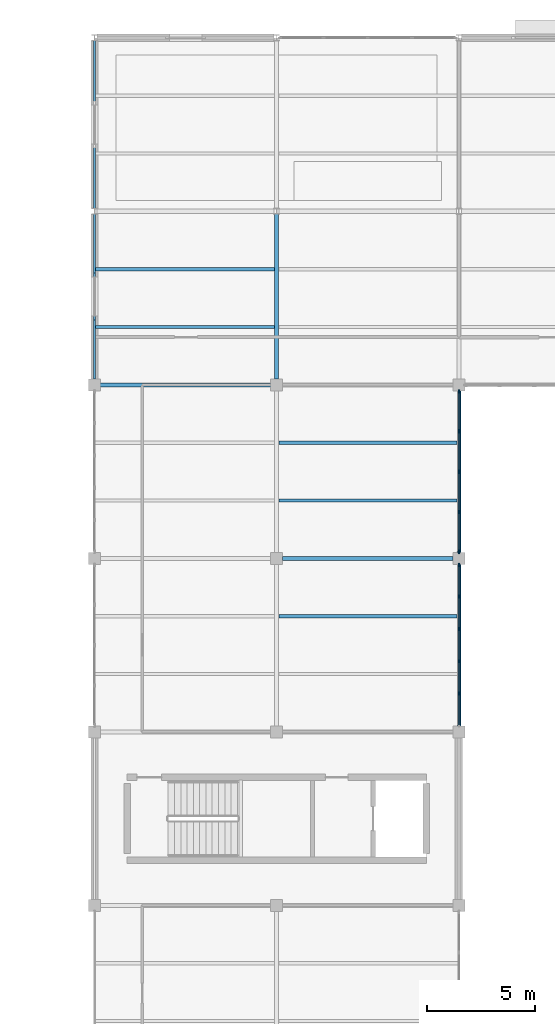
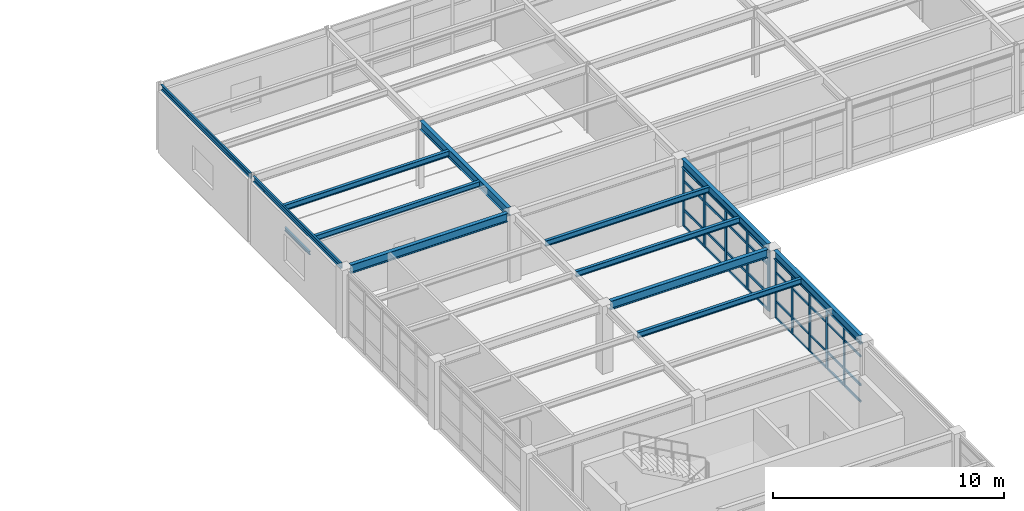
# One storey, part 23 of 53: 46 members, 13 beams, 2 elements without a shape of their own.
"""IFC4 building model written with IfcOpenShell, lengths in metres."""

from ifc_helpers import new_model, si_unit, direction, frame, origin, origin_2d, place, context, subcontext, project, spatial, rectangle, i_section, u_section, extrude, material, layer, layer_set, material_profile, profile_set, type_object, element, aggregate, save


model = new_model("IFC4")

# Units and contexts
model_context = context("Model", 3, precision=1e-05, world=origin(), true_north=direction((0.0, 1.0)))
body_context = subcontext(model_context, "Body", "Model", "MODEL_VIEW")
ifc_project = project(units=[si_unit("LENGTHUNIT", "METRE"), si_unit("AREAUNIT", "SQUARE_METRE"), si_unit("VOLUMEUNIT", "CUBIC_METRE"), si_unit("PLANEANGLEUNIT", "RADIAN"), si_unit("MASSUNIT", "GRAM", prefix="KILO")], contexts=[model_context])

# Site, building, storey
site_placement = place(None, origin())
site = spatial("IfcSite", under=ifc_project, at=site_placement, CompositionType="ELEMENT")
building_placement = place(site_placement, origin())
building = spatial("IfcBuilding", under=site, at=building_placement, Name="Kranzveld Transit Interchange", CompositionType="ELEMENT")
storey_placement = place(building_placement, frame((0.0, 0.0, 13.360107421875)))
storey = spatial("IfcBuildingStorey", under=building, at=storey_placement, Name="L03", CompositionType="ELEMENT", Elevation=13.360107421875)

# Beams
ifc_material_1 = material(Name="Steel S355JR", Category="steel")
ifc_material_profile_1 = material_profile(ifc_material_1, i_section(OverallWidth=0.18994140625, OverallDepth=0.453369140625, WebThickness=0.008544921875, FlangeThickness=0.0126953125, FilletRadius=0.01025390625, at=origin_2d()), Name="UB 457x191x67")
ifc_profile_set_1 = profile_set([ifc_material_profile_1], Name="Steel S355JR")
beam_type_1 = type_object("IfcBeamType", Name="Beam Steel UB 457x191x67 S355JR", PredefinedType="BEAM", material=ifc_profile_set_1)
beam_1_placement = place(storey_placement, frame((109.199951171875, 96.264892578125, 3.353271484375), z_axis=(0.0, 1.0, 0.0), x_axis=(-1.0, 0.0, 0.0)))
element("IfcBeam", 1, at=beam_1_placement, inside=storey, type_object=beam_type_1, Name="L03 Girder 14/N-P", PredefinedType="BEAM", context=body_context, shape_type="SweptSolid", body=[
    extrude(i_section(OverallWidth=0.18994140625, OverallDepth=0.453369140625, WebThickness=0.008544921875, FlangeThickness=0.0126953125, FilletRadius=0.01025390625, at=origin_2d()), origin(), (0.0, 0.0, 1.0), 7.614990234375),
])
for number, where, z_axis, x_axis, name in (
    (2, (117.60009765625, 80.264892578125, 3.353271484375), (0.0, 1.0, 0.0), (-1.0, 0.0, 0.0), "L03 Girder 15/L-M"),
    (3, (117.60009765625, 88.264892578125, 3.353271484375), (0.0, 1.0, 0.0), (-1.0, 0.0, 0.0), "L03 Girder 15/M-N"),
):
    element("IfcBeam", number, at=place(storey_placement, frame(where, z_axis=z_axis, x_axis=x_axis)), inside=storey, type_object=beam_type_1, Name=name, PredefinedType="BEAM", context=body_context, shape_type="SweptSolid", body=[
        extrude(i_section(OverallWidth=0.18994140625, OverallDepth=0.453369140625, WebThickness=0.008544921875, FlangeThickness=0.0126953125, FilletRadius=0.01025390625, at=origin_2d()), origin(), (0.0, 0.0, 1.0), 7.47021484375),
    ])
ifc_material_2 = material(Name="Steel S355JR", Category="steel")
ifc_material_profile_2 = material_profile(ifc_material_2, i_section(OverallWidth=0.1904296875, OverallDepth=0.45703125, WebThickness=0.009033203125, FlangeThickness=0.014404296875, FilletRadius=0.01025390625, at=origin_2d()), Name="UB 457x191x74")
ifc_profile_set_2 = profile_set([ifc_material_profile_2], Name="Steel S355JR")
beam_type_2 = type_object("IfcBeamType", Name="Beam Steel UB 457x191x74 S355JR", PredefinedType="BEAM", material=ifc_profile_set_2)
beam_2_placement = place(storey_placement, frame((109.465087890625, 88.0, 3.351318359375), z_axis=(1.0, 0.0, 0.0), x_axis=(0.0, 1.0, 0.0)))
element("IfcBeam", 4, at=beam_2_placement, inside=storey, type_object=beam_type_2, Name="L03 Girder 14-15/M", PredefinedType="BEAM", context=body_context, shape_type="SweptSolid", body=[
    extrude(i_section(OverallWidth=0.1904296875, OverallDepth=0.45703125, WebThickness=0.009033203125, FlangeThickness=0.014404296875, FilletRadius=0.01025390625, at=origin_2d()), origin(), (0.0, 0.0, 1.0), 7.869873046875),
])
beam_3_placement = place(storey_placement, frame((101.06494140625, 96.0, 3.351318359375), z_axis=(1.0, 0.0, 0.0), x_axis=(0.0, 1.0, 0.0)))
element("IfcBeam", 5, at=beam_3_placement, inside=storey, type_object=beam_type_2, Name="L03 Girder 13-14/N", PredefinedType="BEAM", context=body_context, shape_type="SweptSolid", body=[
    extrude(i_section(OverallWidth=0.1904296875, OverallDepth=0.45703125, WebThickness=0.009033203125, FlangeThickness=0.014404296875, FilletRadius=0.01025390625, at=origin_2d()), origin(), (0.0, 0.0, 1.0), 7.8701171875),
])

# Curtain wall, members
ifc_material_3 = material(Name="Bronze-anodised thermally broken aluminium", Category="aluminium")
ifc_layer_1 = layer(ifc_material_3, 0.14990234375)
ifc_layer_set_1 = layer_set([ifc_layer_1], Name="Bronze-anodised thermally broken aluminium")
curtain_wall_type_1 = type_object("IfcCurtainWallType", Name="Public Passage Clerestory Screen CW-4", PredefinedType="USERDEFINED", material=ifc_layer_set_1)
curtain_wall_1_placement = place(storey_placement, origin())
curtain_wall_1 = element("IfcCurtainWall", 6, at=curtain_wall_1_placement, inside=storey, type_object=curtain_wall_type_1, Name="L03 Curtain Wall 15/L-15/M", ObjectType="CURTAIN WALL", PredefinedType="USERDEFINED")
ifc_material_4 = material(Name="Bronze-anodised thermally broken aluminium", Category="aluminium")
ifc_material_profile_3 = material_profile(ifc_material_4, rectangle(XDim=0.06005859375, YDim=0.14990234375, at=origin_2d()), Name="ALU MULLION 60x150")
ifc_profile_set_3 = profile_set([ifc_material_profile_3], Name="Bronze-anodised thermally broken aluminium")
member_type_1 = type_object("IfcMemberType", Name="Curtain Wall Mullion 60x150 Alu", PredefinedType="MULLION", material=ifc_profile_set_3)
member_1_placement = place(storey_placement, frame((117.60009765625, 81.764892578125, 0.0), z_axis=(0.0, 0.0, 1.0), x_axis=(-1.0, 0.0, 0.0)))
member_1 = element("IfcMember", 7, at=member_1_placement, type_object=member_type_1, Name="CW-4 mullion 2", PredefinedType="MULLION", context=body_context, shape_type="SweptSolid", body=[
    extrude(rectangle(XDim=0.06005859375, YDim=0.14990234375, at=origin_2d()), origin(), (0.0, 0.0, 1.0), 3.12646484375),
])
member_2_placement = place(storey_placement, frame((117.60009765625, 83.2548828125, 0.0), z_axis=(0.0, 0.0, 1.0), x_axis=(-1.0, 0.0, 0.0)))
member_2 = element("IfcMember", 8, at=member_2_placement, type_object=member_type_1, Name="CW-4 mullion 3", PredefinedType="MULLION", context=body_context, shape_type="SweptSolid", body=[
    extrude(rectangle(XDim=0.06005859375, YDim=0.14990234375, at=origin_2d()), origin(), (0.0, 0.0, 1.0), 3.12646484375),
])
member_3_placement = place(storey_placement, frame((117.60009765625, 84.7451171875, 0.0), z_axis=(0.0, 0.0, 1.0), x_axis=(-1.0, 0.0, 0.0)))
member_3 = element("IfcMember", 9, at=member_3_placement, type_object=member_type_1, Name="CW-4 mullion 4", PredefinedType="MULLION", context=body_context, shape_type="SweptSolid", body=[
    extrude(rectangle(XDim=0.06005859375, YDim=0.14990234375, at=origin_2d()), origin(), (0.0, 0.0, 1.0), 3.12646484375),
])
member_4_placement = place(storey_placement, frame((117.60009765625, 86.235107421875, 0.0), z_axis=(0.0, 0.0, 1.0), x_axis=(-1.0, 0.0, 0.0)))
member_4 = element("IfcMember", 10, at=member_4_placement, type_object=member_type_1, Name="CW-4 mullion 5", PredefinedType="MULLION", context=body_context, shape_type="SweptSolid", body=[
    extrude(rectangle(XDim=0.06005859375, YDim=0.14990234375, at=origin_2d()), origin(), (0.0, 0.0, 1.0), 3.12646484375),
])
member_5_placement = place(storey_placement, frame((117.60009765625, 87.695068359375, 0.0), z_axis=(0.0, 0.0, 1.0), x_axis=(-1.0, 0.0, 0.0)))
member_5 = element("IfcMember", 11, at=member_5_placement, type_object=member_type_1, Name="CW-4 mullion 6", PredefinedType="MULLION", context=body_context, shape_type="SweptSolid", body=[
    extrude(rectangle(XDim=0.06005859375, YDim=0.14990234375, at=origin_2d()), origin(), (0.0, 0.0, 1.0), 3.12646484375),
])

ifc_material_5 = material(Name="Bronze-anodised thermally broken aluminium", Category="aluminium")
ifc_layer_2 = layer(ifc_material_5, 0.18505859375)
ifc_layer_set_2 = layer_set([ifc_layer_2], Name="Bronze-anodised thermally broken aluminium")
curtain_wall_type_2 = type_object("IfcCurtainWallType", Name="Control Crown Observation Facade CW-5", PredefinedType="USERDEFINED", material=ifc_layer_set_2)
curtain_wall_2_placement = place(storey_placement, origin())
curtain_wall_2 = element("IfcCurtainWall", 12, at=curtain_wall_2_placement, inside=storey, type_object=curtain_wall_type_2, Name="L03 Curtain Wall 15/M-15/N", ObjectType="CURTAIN WALL", PredefinedType="USERDEFINED")
ifc_material_6 = material(Name="Bronze-anodised thermally broken aluminium", Category="aluminium")
ifc_material_profile_4 = material_profile(ifc_material_6, rectangle(XDim=0.06494140625, YDim=0.179931640625, at=origin_2d()), Name="ALU MULLION 65x180")
ifc_profile_set_4 = profile_set([ifc_material_profile_4], Name="Bronze-anodised thermally broken aluminium")
member_type_2 = type_object("IfcMemberType", Name="Curtain Wall Mullion 65x180 Alu", PredefinedType="MULLION", material=ifc_profile_set_4)
member_6_placement = place(storey_placement, frame((117.60009765625, 88.3076171875, 0.0), z_axis=(0.0, 0.0, 1.0), x_axis=(-1.0, 0.0, 0.0)))
member_6 = element("IfcMember", 13, at=member_6_placement, type_object=member_type_2, Name="CW-5 mullion 1", PredefinedType="MULLION", context=body_context, shape_type="SweptSolid", body=[
    extrude(rectangle(XDim=0.06494140625, YDim=0.179931640625, at=origin_2d()), origin(), (0.0, 0.0, 1.0), 3.12646484375),
])
member_7_placement = place(storey_placement, frame((117.60009765625, 90.137451171875, 0.0), z_axis=(0.0, 0.0, 1.0), x_axis=(-1.0, 0.0, 0.0)))
member_7 = element("IfcMember", 14, at=member_7_placement, type_object=member_type_2, Name="CW-5 mullion 2", PredefinedType="MULLION", context=body_context, shape_type="SweptSolid", body=[
    extrude(rectangle(XDim=0.06494140625, YDim=0.179931640625, at=origin_2d()), origin(), (0.0, 0.0, 1.0), 3.12646484375),
])
member_8_placement = place(storey_placement, frame((117.60009765625, 92.0, 0.0), z_axis=(0.0, 0.0, 1.0), x_axis=(-1.0, 0.0, 0.0)))
member_8 = element("IfcMember", 15, at=member_8_placement, type_object=member_type_2, Name="CW-5 mullion 3", PredefinedType="MULLION", context=body_context, shape_type="SweptSolid", body=[
    extrude(rectangle(XDim=0.06494140625, YDim=0.179931640625, at=origin_2d()), origin(), (0.0, 0.0, 1.0), 3.12646484375),
])
member_9_placement = place(storey_placement, frame((117.60009765625, 93.862548828125, 0.0), z_axis=(0.0, 0.0, 1.0), x_axis=(-1.0, 0.0, 0.0)))
member_9 = element("IfcMember", 16, at=member_9_placement, type_object=member_type_2, Name="CW-5 mullion 4", PredefinedType="MULLION", context=body_context, shape_type="SweptSolid", body=[
    extrude(rectangle(XDim=0.06494140625, YDim=0.179931640625, at=origin_2d()), origin(), (0.0, 0.0, 1.0), 3.12646484375),
])
member_10_placement = place(storey_placement, frame((117.60009765625, 95.6923828125, 0.0), z_axis=(0.0, 0.0, 1.0), x_axis=(-1.0, 0.0, 0.0)))
member_10 = element("IfcMember", 17, at=member_10_placement, type_object=member_type_2, Name="CW-5 mullion 5", PredefinedType="MULLION", context=body_context, shape_type="SweptSolid", body=[
    extrude(rectangle(XDim=0.06494140625, YDim=0.179931640625, at=origin_2d()), origin(), (0.0, 0.0, 1.0), 3.12646484375),
])

# Member
ifc_material_7 = material(Name="Bronze-anodised thermally broken aluminium", Category="aluminium")
ifc_material_profile_5 = material_profile(ifc_material_7, rectangle(XDim=0.06005859375, YDim=0.110107421875, at=origin_2d()), Name="ALU TRANSOM 60x110")
ifc_profile_set_5 = profile_set([ifc_material_profile_5], Name="Bronze-anodised thermally broken aluminium")
member_type_3 = type_object("IfcMemberType", Name="Curtain Wall Transom 60x110 Alu", PredefinedType="USERDEFINED", material=ifc_profile_set_5)
member_11_placement = place(storey_placement, frame((117.60009765625, 80.3349609375, 0.02978515625), z_axis=(0.0, 1.0, 0.0), x_axis=(-1.0, 0.0, 0.0)))
member_11 = element("IfcMember", 18, at=member_11_placement, type_object=member_type_3, Name="CW-4 transom 1.1", ObjectType="TRANSOM", PredefinedType="USERDEFINED", context=body_context, shape_type="SweptSolid", body=[
    extrude(rectangle(XDim=0.06005859375, YDim=0.110107421875, at=origin_2d()), origin(), (0.0, 0.0, 1.0), 1.400146484375),
])

member_12_placement = place(storey_placement, frame((117.60009765625, 80.3349609375, 0.89990234375), z_axis=(0.0, 1.0, 0.0), x_axis=(-1.0, 0.0, 0.0)))
member_12 = element("IfcMember", 19, at=member_12_placement, type_object=member_type_3, Name="CW-4 transom 1.2", ObjectType="TRANSOM", PredefinedType="USERDEFINED", context=body_context, shape_type="SweptSolid", body=[
    extrude(rectangle(XDim=0.06005859375, YDim=0.110107421875, at=origin_2d()), origin(), (0.0, 0.0, 1.0), 1.400146484375),
])

member_13_placement = place(storey_placement, frame((117.60009765625, 80.3349609375, 2.426513671875), z_axis=(0.0, 1.0, 0.0), x_axis=(-1.0, 0.0, 0.0)))
member_13 = element("IfcMember", 20, at=member_13_placement, type_object=member_type_3, Name="CW-4 transom 1.3", ObjectType="TRANSOM", PredefinedType="USERDEFINED", context=body_context, shape_type="SweptSolid", body=[
    extrude(rectangle(XDim=0.06005859375, YDim=0.110107421875, at=origin_2d()), origin(), (0.0, 0.0, 1.0), 1.400146484375),
])

member_14_placement = place(storey_placement, frame((117.60009765625, 80.3349609375, 3.096435546875), z_axis=(0.0, 1.0, 0.0), x_axis=(-1.0, 0.0, 0.0)))
member_14 = element("IfcMember", 21, at=member_14_placement, type_object=member_type_3, Name="CW-4 transom 1.4", ObjectType="TRANSOM", PredefinedType="USERDEFINED", context=body_context, shape_type="SweptSolid", body=[
    extrude(rectangle(XDim=0.06005859375, YDim=0.110107421875, at=origin_2d()), origin(), (0.0, 0.0, 1.0), 1.400146484375),
])

member_15_placement = place(storey_placement, frame((117.60009765625, 81.794921875, 0.02978515625), z_axis=(0.0, 1.0, 0.0), x_axis=(-1.0, 0.0, 0.0)))
member_15 = element("IfcMember", 22, at=member_15_placement, type_object=member_type_3, Name="CW-4 transom 2.1", ObjectType="TRANSOM", PredefinedType="USERDEFINED", context=body_context, shape_type="SweptSolid", body=[
    extrude(rectangle(XDim=0.06005859375, YDim=0.110107421875, at=origin_2d()), origin(), (0.0, 0.0, 1.0), 1.43017578125),
])

member_16_placement = place(storey_placement, frame((117.60009765625, 81.794921875, 0.89990234375), z_axis=(0.0, 1.0, 0.0), x_axis=(-1.0, 0.0, 0.0)))
member_16 = element("IfcMember", 23, at=member_16_placement, type_object=member_type_3, Name="CW-4 transom 2.2", ObjectType="TRANSOM", PredefinedType="USERDEFINED", context=body_context, shape_type="SweptSolid", body=[
    extrude(rectangle(XDim=0.06005859375, YDim=0.110107421875, at=origin_2d()), origin(), (0.0, 0.0, 1.0), 1.43017578125),
])

member_17_placement = place(storey_placement, frame((117.60009765625, 81.794921875, 2.426513671875), z_axis=(0.0, 1.0, 0.0), x_axis=(-1.0, 0.0, 0.0)))
member_17 = element("IfcMember", 24, at=member_17_placement, type_object=member_type_3, Name="CW-4 transom 2.3", ObjectType="TRANSOM", PredefinedType="USERDEFINED", context=body_context, shape_type="SweptSolid", body=[
    extrude(rectangle(XDim=0.06005859375, YDim=0.110107421875, at=origin_2d()), origin(), (0.0, 0.0, 1.0), 1.43017578125),
])

member_18_placement = place(storey_placement, frame((117.60009765625, 81.794921875, 3.096435546875), z_axis=(0.0, 1.0, 0.0), x_axis=(-1.0, 0.0, 0.0)))
member_18 = element("IfcMember", 25, at=member_18_placement, type_object=member_type_3, Name="CW-4 transom 2.4", ObjectType="TRANSOM", PredefinedType="USERDEFINED", context=body_context, shape_type="SweptSolid", body=[
    extrude(rectangle(XDim=0.06005859375, YDim=0.110107421875, at=origin_2d()), origin(), (0.0, 0.0, 1.0), 1.43017578125),
])

member_19_placement = place(storey_placement, frame((117.60009765625, 83.284912109375, 0.02978515625), z_axis=(0.0, 1.0, 0.0), x_axis=(-1.0, 0.0, 0.0)))
member_19 = element("IfcMember", 26, at=member_19_placement, type_object=member_type_3, Name="CW-4 transom 3.1", ObjectType="TRANSOM", PredefinedType="USERDEFINED", context=body_context, shape_type="SweptSolid", body=[
    extrude(rectangle(XDim=0.06005859375, YDim=0.110107421875, at=origin_2d()), origin(), (0.0, 0.0, 1.0), 1.43017578125),
])

member_20_placement = place(storey_placement, frame((117.60009765625, 83.284912109375, 0.89990234375), z_axis=(0.0, 1.0, 0.0), x_axis=(-1.0, 0.0, 0.0)))
member_20 = element("IfcMember", 27, at=member_20_placement, type_object=member_type_3, Name="CW-4 transom 3.2", ObjectType="TRANSOM", PredefinedType="USERDEFINED", context=body_context, shape_type="SweptSolid", body=[
    extrude(rectangle(XDim=0.06005859375, YDim=0.110107421875, at=origin_2d()), origin(), (0.0, 0.0, 1.0), 1.43017578125),
])

member_21_placement = place(storey_placement, frame((117.60009765625, 83.284912109375, 2.426513671875), z_axis=(0.0, 1.0, 0.0), x_axis=(-1.0, 0.0, 0.0)))
member_21 = element("IfcMember", 28, at=member_21_placement, type_object=member_type_3, Name="CW-4 transom 3.3", ObjectType="TRANSOM", PredefinedType="USERDEFINED", context=body_context, shape_type="SweptSolid", body=[
    extrude(rectangle(XDim=0.06005859375, YDim=0.110107421875, at=origin_2d()), origin(), (0.0, 0.0, 1.0), 1.43017578125),
])

member_22_placement = place(storey_placement, frame((117.60009765625, 83.284912109375, 3.096435546875), z_axis=(0.0, 1.0, 0.0), x_axis=(-1.0, 0.0, 0.0)))
member_22 = element("IfcMember", 29, at=member_22_placement, type_object=member_type_3, Name="CW-4 transom 3.4", ObjectType="TRANSOM", PredefinedType="USERDEFINED", context=body_context, shape_type="SweptSolid", body=[
    extrude(rectangle(XDim=0.06005859375, YDim=0.110107421875, at=origin_2d()), origin(), (0.0, 0.0, 1.0), 1.43017578125),
])

member_23_placement = place(storey_placement, frame((117.60009765625, 84.77490234375, 0.02978515625), z_axis=(0.0, 1.0, 0.0), x_axis=(-1.0, 0.0, 0.0)))
member_23 = element("IfcMember", 30, at=member_23_placement, type_object=member_type_3, Name="CW-4 transom 4.1", ObjectType="TRANSOM", PredefinedType="USERDEFINED", context=body_context, shape_type="SweptSolid", body=[
    extrude(rectangle(XDim=0.06005859375, YDim=0.110107421875, at=origin_2d()), origin(), (0.0, 0.0, 1.0), 1.43017578125),
])

member_24_placement = place(storey_placement, frame((117.60009765625, 84.77490234375, 0.89990234375), z_axis=(0.0, 1.0, 0.0), x_axis=(-1.0, 0.0, 0.0)))
member_24 = element("IfcMember", 31, at=member_24_placement, type_object=member_type_3, Name="CW-4 transom 4.2", ObjectType="TRANSOM", PredefinedType="USERDEFINED", context=body_context, shape_type="SweptSolid", body=[
    extrude(rectangle(XDim=0.06005859375, YDim=0.110107421875, at=origin_2d()), origin(), (0.0, 0.0, 1.0), 1.43017578125),
])

member_25_placement = place(storey_placement, frame((117.60009765625, 84.77490234375, 2.426513671875), z_axis=(0.0, 1.0, 0.0), x_axis=(-1.0, 0.0, 0.0)))
member_25 = element("IfcMember", 32, at=member_25_placement, type_object=member_type_3, Name="CW-4 transom 4.3", ObjectType="TRANSOM", PredefinedType="USERDEFINED", context=body_context, shape_type="SweptSolid", body=[
    extrude(rectangle(XDim=0.06005859375, YDim=0.110107421875, at=origin_2d()), origin(), (0.0, 0.0, 1.0), 1.43017578125),
])

member_26_placement = place(storey_placement, frame((117.60009765625, 84.77490234375, 3.096435546875), z_axis=(0.0, 1.0, 0.0), x_axis=(-1.0, 0.0, 0.0)))
member_26 = element("IfcMember", 33, at=member_26_placement, type_object=member_type_3, Name="CW-4 transom 4.4", ObjectType="TRANSOM", PredefinedType="USERDEFINED", context=body_context, shape_type="SweptSolid", body=[
    extrude(rectangle(XDim=0.06005859375, YDim=0.110107421875, at=origin_2d()), origin(), (0.0, 0.0, 1.0), 1.43017578125),
])

member_27_placement = place(storey_placement, frame((117.60009765625, 86.264892578125, 0.02978515625), z_axis=(0.0, 1.0, 0.0), x_axis=(-1.0, 0.0, 0.0)))
member_27 = element("IfcMember", 34, at=member_27_placement, type_object=member_type_3, Name="CW-4 transom 5.1", ObjectType="TRANSOM", PredefinedType="USERDEFINED", context=body_context, shape_type="SweptSolid", body=[
    extrude(rectangle(XDim=0.06005859375, YDim=0.110107421875, at=origin_2d()), origin(), (0.0, 0.0, 1.0), 1.400146484375),
])

member_28_placement = place(storey_placement, frame((117.60009765625, 86.264892578125, 0.89990234375), z_axis=(0.0, 1.0, 0.0), x_axis=(-1.0, 0.0, 0.0)))
member_28 = element("IfcMember", 35, at=member_28_placement, type_object=member_type_3, Name="CW-4 transom 5.2", ObjectType="TRANSOM", PredefinedType="USERDEFINED", context=body_context, shape_type="SweptSolid", body=[
    extrude(rectangle(XDim=0.06005859375, YDim=0.110107421875, at=origin_2d()), origin(), (0.0, 0.0, 1.0), 1.400146484375),
])

member_29_placement = place(storey_placement, frame((117.60009765625, 86.264892578125, 2.426513671875), z_axis=(0.0, 1.0, 0.0), x_axis=(-1.0, 0.0, 0.0)))
member_29 = element("IfcMember", 36, at=member_29_placement, type_object=member_type_3, Name="CW-4 transom 5.3", ObjectType="TRANSOM", PredefinedType="USERDEFINED", context=body_context, shape_type="SweptSolid", body=[
    extrude(rectangle(XDim=0.06005859375, YDim=0.110107421875, at=origin_2d()), origin(), (0.0, 0.0, 1.0), 1.400146484375),
])

member_30_placement = place(storey_placement, frame((117.60009765625, 86.264892578125, 3.096435546875), z_axis=(0.0, 1.0, 0.0), x_axis=(-1.0, 0.0, 0.0)))
member_30 = element("IfcMember", 37, at=member_30_placement, type_object=member_type_3, Name="CW-4 transom 5.4", ObjectType="TRANSOM", PredefinedType="USERDEFINED", context=body_context, shape_type="SweptSolid", body=[
    extrude(rectangle(XDim=0.06005859375, YDim=0.110107421875, at=origin_2d()), origin(), (0.0, 0.0, 1.0), 1.400146484375),
])

aggregate(curtain_wall_1, [member_1, member_2, member_3, member_4, member_5, member_11, member_12, member_13, member_14, member_15, member_16, member_17, member_18, member_19, member_20, member_21, member_22, member_23, member_24, member_25, member_26, member_27, member_28, member_29, member_30])

ifc_material_8 = material(Name="Bronze-anodised thermally broken aluminium", Category="aluminium")
ifc_material_profile_6 = material_profile(ifc_material_8, rectangle(XDim=0.06494140625, YDim=0.139892578125, at=origin_2d()), Name="ALU TRANSOM 65x140")
ifc_profile_set_6 = profile_set([ifc_material_profile_6], Name="Bronze-anodised thermally broken aluminium")
member_type_4 = type_object("IfcMemberType", Name="Curtain Wall Transom 65x140 Alu", PredefinedType="USERDEFINED", material=ifc_profile_set_6)
member_31_placement = place(storey_placement, frame((117.60009765625, 88.340087890625, 0.032470703125), z_axis=(0.0, 1.0, 0.0), x_axis=(-1.0, 0.0, 0.0)))
member_31 = element("IfcMember", 38, at=member_31_placement, type_object=member_type_4, Name="CW-5 transom 1.1", ObjectType="TRANSOM", PredefinedType="USERDEFINED", context=body_context, shape_type="SweptSolid", body=[
    extrude(rectangle(XDim=0.06494140625, YDim=0.139892578125, at=origin_2d()), origin(), (0.0, 0.0, 1.0), 1.764892578125),
])

member_32_placement = place(storey_placement, frame((117.60009765625, 88.340087890625, 0.89990234375), z_axis=(0.0, 1.0, 0.0), x_axis=(-1.0, 0.0, 0.0)))
member_32 = element("IfcMember", 39, at=member_32_placement, type_object=member_type_4, Name="CW-5 transom 1.2", ObjectType="TRANSOM", PredefinedType="USERDEFINED", context=body_context, shape_type="SweptSolid", body=[
    extrude(rectangle(XDim=0.06494140625, YDim=0.139892578125, at=origin_2d()), origin(), (0.0, 0.0, 1.0), 1.764892578125),
])

member_33_placement = place(storey_placement, frame((117.60009765625, 88.340087890625, 2.426513671875), z_axis=(0.0, 1.0, 0.0), x_axis=(-1.0, 0.0, 0.0)))
member_33 = element("IfcMember", 40, at=member_33_placement, type_object=member_type_4, Name="CW-5 transom 1.3", ObjectType="TRANSOM", PredefinedType="USERDEFINED", context=body_context, shape_type="SweptSolid", body=[
    extrude(rectangle(XDim=0.06494140625, YDim=0.139892578125, at=origin_2d()), origin(), (0.0, 0.0, 1.0), 1.764892578125),
])

member_34_placement = place(storey_placement, frame((117.60009765625, 88.340087890625, 3.093994140625), z_axis=(0.0, 1.0, 0.0), x_axis=(-1.0, 0.0, 0.0)))
member_34 = element("IfcMember", 41, at=member_34_placement, type_object=member_type_4, Name="CW-5 transom 1.4", ObjectType="TRANSOM", PredefinedType="USERDEFINED", context=body_context, shape_type="SweptSolid", body=[
    extrude(rectangle(XDim=0.06494140625, YDim=0.139892578125, at=origin_2d()), origin(), (0.0, 0.0, 1.0), 1.764892578125),
])

member_35_placement = place(storey_placement, frame((117.60009765625, 90.169921875, 0.032470703125), z_axis=(0.0, 1.0, 0.0), x_axis=(-1.0, 0.0, 0.0)))
member_35 = element("IfcMember", 42, at=member_35_placement, type_object=member_type_4, Name="CW-5 transom 2.1", ObjectType="TRANSOM", PredefinedType="USERDEFINED", context=body_context, shape_type="SweptSolid", body=[
    extrude(rectangle(XDim=0.06494140625, YDim=0.139892578125, at=origin_2d()), origin(), (0.0, 0.0, 1.0), 1.797607421875),
])

member_36_placement = place(storey_placement, frame((117.60009765625, 90.169921875, 0.89990234375), z_axis=(0.0, 1.0, 0.0), x_axis=(-1.0, 0.0, 0.0)))
member_36 = element("IfcMember", 43, at=member_36_placement, type_object=member_type_4, Name="CW-5 transom 2.2", ObjectType="TRANSOM", PredefinedType="USERDEFINED", context=body_context, shape_type="SweptSolid", body=[
    extrude(rectangle(XDim=0.06494140625, YDim=0.139892578125, at=origin_2d()), origin(), (0.0, 0.0, 1.0), 1.797607421875),
])

member_37_placement = place(storey_placement, frame((117.60009765625, 90.169921875, 2.426513671875), z_axis=(0.0, 1.0, 0.0), x_axis=(-1.0, 0.0, 0.0)))
member_37 = element("IfcMember", 44, at=member_37_placement, type_object=member_type_4, Name="CW-5 transom 2.3", ObjectType="TRANSOM", PredefinedType="USERDEFINED", context=body_context, shape_type="SweptSolid", body=[
    extrude(rectangle(XDim=0.06494140625, YDim=0.139892578125, at=origin_2d()), origin(), (0.0, 0.0, 1.0), 1.797607421875),
])

member_38_placement = place(storey_placement, frame((117.60009765625, 90.169921875, 3.093994140625), z_axis=(0.0, 1.0, 0.0), x_axis=(-1.0, 0.0, 0.0)))
member_38 = element("IfcMember", 45, at=member_38_placement, type_object=member_type_4, Name="CW-5 transom 2.4", ObjectType="TRANSOM", PredefinedType="USERDEFINED", context=body_context, shape_type="SweptSolid", body=[
    extrude(rectangle(XDim=0.06494140625, YDim=0.139892578125, at=origin_2d()), origin(), (0.0, 0.0, 1.0), 1.797607421875),
])

member_39_placement = place(storey_placement, frame((117.60009765625, 92.032470703125, 0.032470703125), z_axis=(0.0, 1.0, 0.0), x_axis=(-1.0, 0.0, 0.0)))
member_39 = element("IfcMember", 46, at=member_39_placement, type_object=member_type_4, Name="CW-5 transom 3.1", ObjectType="TRANSOM", PredefinedType="USERDEFINED", context=body_context, shape_type="SweptSolid", body=[
    extrude(rectangle(XDim=0.06494140625, YDim=0.139892578125, at=origin_2d()), origin(), (0.0, 0.0, 1.0), 1.797607421875),
])

member_40_placement = place(storey_placement, frame((117.60009765625, 92.032470703125, 0.89990234375), z_axis=(0.0, 1.0, 0.0), x_axis=(-1.0, 0.0, 0.0)))
member_40 = element("IfcMember", 47, at=member_40_placement, type_object=member_type_4, Name="CW-5 transom 3.2", ObjectType="TRANSOM", PredefinedType="USERDEFINED", context=body_context, shape_type="SweptSolid", body=[
    extrude(rectangle(XDim=0.06494140625, YDim=0.139892578125, at=origin_2d()), origin(), (0.0, 0.0, 1.0), 1.797607421875),
])

member_41_placement = place(storey_placement, frame((117.60009765625, 92.032470703125, 2.426513671875), z_axis=(0.0, 1.0, 0.0), x_axis=(-1.0, 0.0, 0.0)))
member_41 = element("IfcMember", 48, at=member_41_placement, type_object=member_type_4, Name="CW-5 transom 3.3", ObjectType="TRANSOM", PredefinedType="USERDEFINED", context=body_context, shape_type="SweptSolid", body=[
    extrude(rectangle(XDim=0.06494140625, YDim=0.139892578125, at=origin_2d()), origin(), (0.0, 0.0, 1.0), 1.797607421875),
])

member_42_placement = place(storey_placement, frame((117.60009765625, 92.032470703125, 3.093994140625), z_axis=(0.0, 1.0, 0.0), x_axis=(-1.0, 0.0, 0.0)))
member_42 = element("IfcMember", 49, at=member_42_placement, type_object=member_type_4, Name="CW-5 transom 3.4", ObjectType="TRANSOM", PredefinedType="USERDEFINED", context=body_context, shape_type="SweptSolid", body=[
    extrude(rectangle(XDim=0.06494140625, YDim=0.139892578125, at=origin_2d()), origin(), (0.0, 0.0, 1.0), 1.797607421875),
])

member_43_placement = place(storey_placement, frame((117.60009765625, 93.89501953125, 0.032470703125), z_axis=(0.0, 1.0, 0.0), x_axis=(-1.0, 0.0, 0.0)))
member_43 = element("IfcMember", 50, at=member_43_placement, type_object=member_type_4, Name="CW-5 transom 4.1", ObjectType="TRANSOM", PredefinedType="USERDEFINED", context=body_context, shape_type="SweptSolid", body=[
    extrude(rectangle(XDim=0.06494140625, YDim=0.139892578125, at=origin_2d()), origin(), (0.0, 0.0, 1.0), 1.764892578125),
])

member_44_placement = place(storey_placement, frame((117.60009765625, 93.89501953125, 0.89990234375), z_axis=(0.0, 1.0, 0.0), x_axis=(-1.0, 0.0, 0.0)))
member_44 = element("IfcMember", 51, at=member_44_placement, type_object=member_type_4, Name="CW-5 transom 4.2", ObjectType="TRANSOM", PredefinedType="USERDEFINED", context=body_context, shape_type="SweptSolid", body=[
    extrude(rectangle(XDim=0.06494140625, YDim=0.139892578125, at=origin_2d()), origin(), (0.0, 0.0, 1.0), 1.764892578125),
])

member_45_placement = place(storey_placement, frame((117.60009765625, 93.89501953125, 2.426513671875), z_axis=(0.0, 1.0, 0.0), x_axis=(-1.0, 0.0, 0.0)))
member_45 = element("IfcMember", 52, at=member_45_placement, type_object=member_type_4, Name="CW-5 transom 4.3", ObjectType="TRANSOM", PredefinedType="USERDEFINED", context=body_context, shape_type="SweptSolid", body=[
    extrude(rectangle(XDim=0.06494140625, YDim=0.139892578125, at=origin_2d()), origin(), (0.0, 0.0, 1.0), 1.764892578125),
])

member_46_placement = place(storey_placement, frame((117.60009765625, 93.89501953125, 3.093994140625), z_axis=(0.0, 1.0, 0.0), x_axis=(-1.0, 0.0, 0.0)))
member_46 = element("IfcMember", 53, at=member_46_placement, type_object=member_type_4, Name="CW-5 transom 4.4", ObjectType="TRANSOM", PredefinedType="USERDEFINED", context=body_context, shape_type="SweptSolid", body=[
    extrude(rectangle(XDim=0.06494140625, YDim=0.139892578125, at=origin_2d()), origin(), (0.0, 0.0, 1.0), 1.764892578125),
])

aggregate(curtain_wall_2, [member_6, member_7, member_8, member_9, member_10, member_31, member_32, member_33, member_34, member_35, member_36, member_37, member_38, member_39, member_40, member_41, member_42, member_43, member_44, member_45, member_46])

# Beams
ifc_material_9 = material(Name="Steel S355JR", Category="steel")
ifc_material_profile_7 = material_profile(ifc_material_9, i_section(OverallWidth=0.14990234375, OverallDepth=0.300048828125, WebThickness=0.007080078125, FlangeThickness=0.0107421875, FilletRadius=0.014892578125, at=origin_2d()), Name="IPE 300")
ifc_profile_set_7 = profile_set([ifc_material_profile_7], Name="Steel S355JR")
beam_type_3 = type_object("IfcBeamType", Name="Deck Joist IPE 300 S355JR", PredefinedType="JOIST", material=ifc_profile_set_7)
for number, where, z_axis, x_axis, name in (
    (54, (100.846923828125, 98.666748046875, 3.429931640625), (1.0, 0.0, 0.0), (0.0, 1.0, 0.0), "L03 Secondary Joist 13-14/N.1"),
    (55, (100.846923828125, 101.333251953125, 3.429931640625), (1.0, 0.0, 0.0), (0.0, 1.0, 0.0), "L03 Secondary Joist 13-14/N.2"),
):
    element("IfcBeam", number, at=place(storey_placement, frame(where, z_axis=z_axis, x_axis=x_axis)), inside=storey, type_object=beam_type_3, Name=name, PredefinedType="JOIST", context=body_context, shape_type="SweptSolid", body=[
        extrude(i_section(OverallWidth=0.14990234375, OverallDepth=0.300048828125, WebThickness=0.007080078125, FlangeThickness=0.0107421875, FilletRadius=0.014892578125, at=origin_2d()), origin(), (0.0, 0.0, 1.0), 8.256103515625),
    ])
for number, where, z_axis, x_axis, name in (
    (56, (109.296875, 85.333251953125, 3.429931640625), (1.0, 0.0, 0.0), (0.0, 1.0, 0.0), "L03 Secondary Joist 14-15/L.2"),
    (57, (109.296875, 90.666748046875, 3.429931640625), (1.0, 0.0, 0.0), (0.0, 1.0, 0.0), "L03 Secondary Joist 14-15/M.1"),
    (58, (109.296875, 93.333251953125, 3.429931640625), (1.0, 0.0, 0.0), (0.0, 1.0, 0.0), "L03 Secondary Joist 14-15/M.2"),
):
    element("IfcBeam", number, at=place(storey_placement, frame(where, z_axis=z_axis, x_axis=x_axis)), inside=storey, type_object=beam_type_3, Name=name, PredefinedType="JOIST", context=body_context, shape_type="SweptSolid", body=[
        extrude(i_section(OverallWidth=0.14990234375, OverallDepth=0.300048828125, WebThickness=0.007080078125, FlangeThickness=0.0107421875, FilletRadius=0.014892578125, at=origin_2d()), origin(), (0.0, 0.0, 1.0), 8.2060546875),
    ])
ifc_material_10 = material(Name="Steel S355JR", Category="steel")
ifc_material_profile_8 = material_profile(ifc_material_10, u_section(Depth=0.300048828125, FlangeWidth=0.090087890625, WebThickness=0.009033203125, FlangeThickness=0.015380859375, FilletRadius=0.011962890625, at=origin_2d()), Name="PFC 300x90x41")
ifc_profile_set_8 = profile_set([ifc_material_profile_8], Name="Steel S355JR")
beam_type_4 = type_object("IfcBeamType", Name="Edge Spandrel PFC 300x90x41 S355JR", PredefinedType="SPANDREL", material=ifc_profile_set_8)
beam_4_placement = place(storey_placement, frame((100.800048828125, 96.264892578125, 3.429931640625), z_axis=(0.0, 1.0, 0.0), x_axis=(-1.0, 0.0, 0.0)))
element("IfcBeam", 59, at=beam_4_placement, inside=storey, type_object=beam_type_4, Name="L03 Girder 13/N-P", PredefinedType="SPANDREL", context=body_context, shape_type="SweptSolid", body=[
    extrude(u_section(Depth=0.300048828125, FlangeWidth=0.090087890625, WebThickness=0.009033203125, FlangeThickness=0.015380859375, FilletRadius=0.011962890625, at=origin_2d()), origin(), (0.0, 0.0, 1.0), 7.614990234375),
])
beam_5_placement = place(storey_placement, frame((100.800048828125, 104.1201171875, 3.429931640625), z_axis=(0.0, 1.0, 0.0), x_axis=(-1.0, 0.0, 0.0)))
element("IfcBeam", 60, at=beam_5_placement, inside=storey, type_object=beam_type_4, Name="L03 Girder 13/P-Q", PredefinedType="SPANDREL", context=body_context, shape_type="SweptSolid", body=[
    extrude(u_section(Depth=0.300048828125, FlangeWidth=0.090087890625, WebThickness=0.009033203125, FlangeThickness=0.015380859375, FilletRadius=0.011962890625, at=origin_2d()), origin(), (0.0, 0.0, 1.0), 7.759765625),
])
ifc_material_11 = material(Name="Steel S355JR", Category="steel")
ifc_material_profile_9 = material_profile(ifc_material_11, i_section(OverallWidth=0.091064453125, OverallDepth=0.179931640625, WebThickness=0.00537109375, FlangeThickness=0.008056640625, FilletRadius=0.009033203125, at=origin_2d()), Name="IPE 180")
ifc_profile_set_9 = profile_set([ifc_material_profile_9], Name="Steel S355JR")
beam_type_5 = type_object("IfcBeamType", Name="Opening Lintel IPE 180 S355JR", PredefinedType="LINTEL", material=ifc_profile_set_9)
beam_6_placement = place(storey_placement, frame((100.800048828125, 98.992431640625, 2.44482421875), z_axis=(0.0, 1.0, 0.0), x_axis=(-1.0, 0.0, 0.0)))
element("IfcBeam", 61, at=beam_6_placement, inside=storey, type_object=beam_type_5, Name="L03 Window Lintel 191", PredefinedType="LINTEL", context=body_context, shape_type="SweptSolid", body=[
    extrude(i_section(OverallWidth=0.091064453125, OverallDepth=0.179931640625, WebThickness=0.00537109375, FlangeThickness=0.008056640625, FilletRadius=0.009033203125, at=origin_2d()), origin(), (0.0, 0.0, 1.0), 2.159912109375),
])

save(model, "model.ifc")
